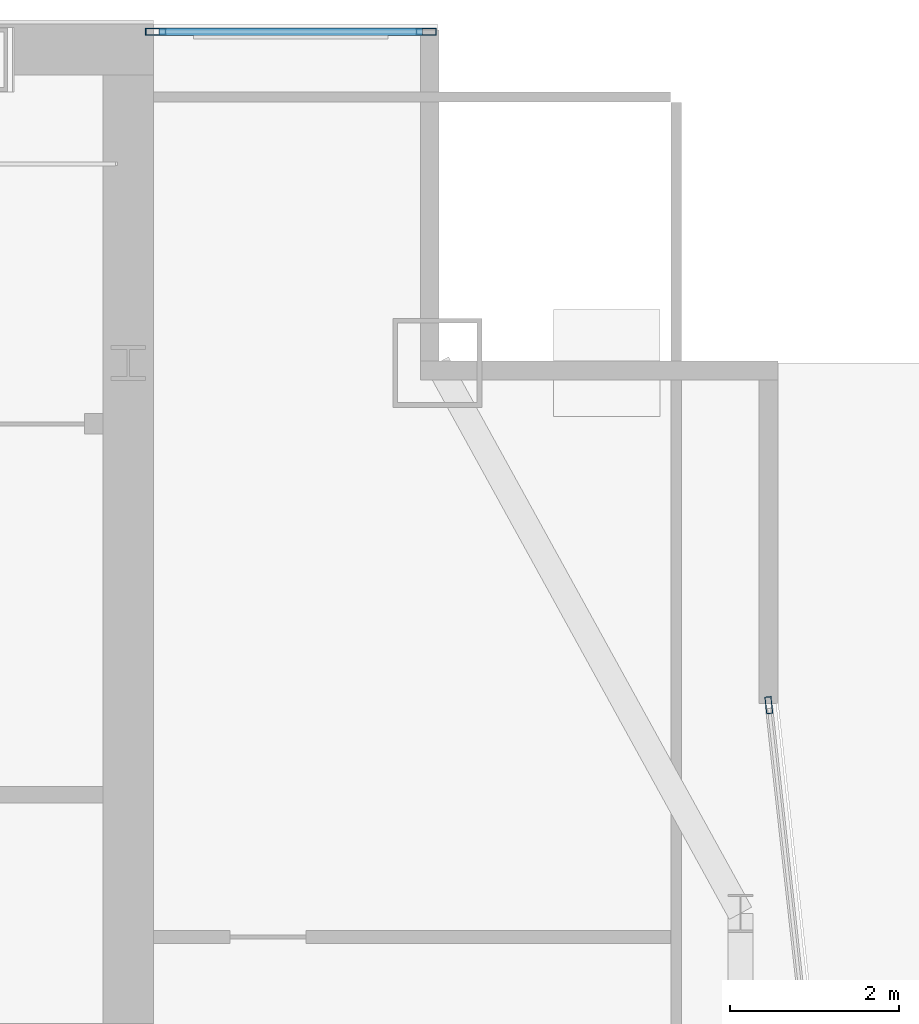
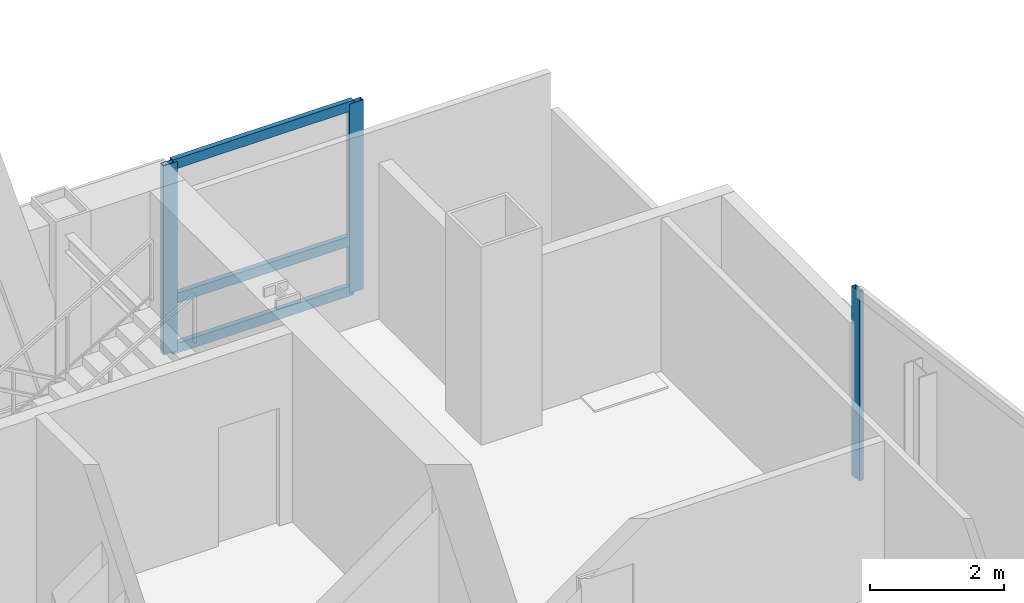
# One storey, part 23 of 30: 6 members, 2 elements without a shape of their own.
"""IFC4 building model written with IfcOpenShell, lengths in metres."""

from ifc_helpers import new_model, si_unit, direction, frame, origin, origin_2d, place, context, subcontext, project, spatial, hollow_rectangle, extrude, material, material_profile, profile_set, type_object, element, aggregate, save


model = new_model("IFC4")

# Units and contexts
model_context = context("Model", 3, precision=1e-05, world=origin(), true_north=direction((0.0, 1.0)))
body_context = subcontext(model_context, "Body", "Model", "MODEL_VIEW")
ifc_project = project(units=[si_unit("LENGTHUNIT", "METRE"), si_unit("AREAUNIT", "SQUARE_METRE"), si_unit("VOLUMEUNIT", "CUBIC_METRE"), si_unit("PLANEANGLEUNIT", "RADIAN"), si_unit("MASSUNIT", "GRAM", prefix="KILO")], contexts=[model_context])

# Site, building, storey
site_placement = place(None, origin())
site = spatial("IfcSite", under=ifc_project, at=site_placement, CompositionType="ELEMENT")
building_placement = place(site_placement, origin())
building = spatial("IfcBuilding", under=site, at=building_placement, Name="Khoronbel Lancet Exchange", CompositionType="ELEMENT")
storey_placement = place(building_placement, frame((0.0, 0.0, 239.0)))
storey = spatial("IfcBuildingStorey", under=building, at=storey_placement, Name="L61", CompositionType="ELEMENT", Elevation=239.0)

# Curtain wall, members
ifc_material_1 = material(Name="Low-E Solar Control Insulating Glass", Category="glass")
curtain_wall_type_1 = type_object("IfcCurtainWallType", Name="CW-3", PredefinedType="NOTDEFINED", material=ifc_material_1)
curtain_wall_1_placement = place(storey_placement, origin())
curtain_wall_1 = element("IfcCurtainWall", 1, at=curtain_wall_1_placement, inside=storey, type_object=curtain_wall_type_1, Name="Unitised curtain wall CW-L61-NEFLK", PredefinedType="NOTDEFINED")
ifc_material_2 = material(Name="Bronze-Anodised Aluminium 6063-T6", Category="aluminium")
ifc_material_profile_1 = material_profile(ifc_material_2, hollow_rectangle(XDim=0.0849609375, YDim=0.239990234375, WallThickness=0.006103515625, at=origin_2d()), Name="ALU MULLION 85x240")
ifc_profile_set_1 = profile_set([ifc_material_profile_1], Name="Bronze-Anodised Aluminium 6063-T6")
member_type_1 = type_object("IfcMemberType", Name="MEM-CWM1", PredefinedType="MULLION", material=ifc_profile_set_1)
member_1_placement = place(storey_placement, frame((59.91748046875, 53.610107421875, 0.0), z_axis=(0.0, 0.0, 1.0), x_axis=(0.0, -1.0, 0.0)))
member_1 = element("IfcMember", 2, at=member_1_placement, type_object=member_type_1, Name="CW3 mullion 1", PredefinedType="MULLION", context=body_context, shape_type="SweptSolid", body=[
    extrude(hollow_rectangle(XDim=0.0849609375, YDim=0.239990234375, WallThickness=0.006103515625, at=origin_2d()), origin(), (0.0, 0.0, 1.0), 3.43994140625),
])
member_2_placement = place(storey_placement, frame((56.722412109375, 53.610107421875, 0.0), z_axis=(0.0, 0.0, 1.0), x_axis=(0.0, -1.0, 0.0)))
member_2 = element("IfcMember", 3, at=member_2_placement, type_object=member_type_1, Name="CW3 mullion 2", PredefinedType="MULLION", context=body_context, shape_type="SweptSolid", body=[
    extrude(hollow_rectangle(XDim=0.0849609375, YDim=0.239990234375, WallThickness=0.006103515625, at=origin_2d()), origin(), (0.0, 0.0, 1.0), 3.43994140625),
])

# Curtain wall, member
curtain_wall_type_2 = type_object("IfcCurtainWallType", Name="CW-4", PredefinedType="NOTDEFINED", material=ifc_material_1)
curtain_wall_2_placement = place(storey_placement, origin())
curtain_wall_2 = element("IfcCurtainWall", 4, at=curtain_wall_2_placement, inside=storey, type_object=curtain_wall_type_2, Name="Unitised curtain wall CW-L61-E17", PredefinedType="NOTDEFINED")
ifc_material_profile_2 = material_profile(ifc_material_2, hollow_rectangle(XDim=0.074951171875, YDim=0.199951171875, WallThickness=0.0048828125, at=origin_2d()), Name="ALU MULLION 75x200")
ifc_profile_set_2 = profile_set([ifc_material_profile_2], Name="Bronze-Anodised Aluminium 6063-T6")
member_type_2 = type_object("IfcMemberType", Name="MEM-CWM2", PredefinedType="MULLION", material=ifc_profile_set_2)
member_3_placement = place(storey_placement, frame((63.964111328125, 45.65771484375, 0.0), z_axis=(0.0, 0.0, 1.0), x_axis=(0.993947317123, 0.109857775256, 0.0)))
member_3 = element("IfcMember", 5, at=member_3_placement, type_object=member_type_2, Name="CW4 mullion 1", PredefinedType="MULLION", context=body_context, shape_type="SweptSolid", body=[
    extrude(hollow_rectangle(XDim=0.074951171875, YDim=0.199951171875, WallThickness=0.0048828125, at=origin_2d()), origin(), (0.0, 0.0, 1.0), 3.43994140625),
])
aggregate(curtain_wall_2, [member_3])

# Member
ifc_material_profile_3 = material_profile(ifc_material_2, hollow_rectangle(XDim=0.0849609375, YDim=0.179931640625, WallThickness=0.0048828125, at=origin_2d()), Name="ALU TRANSOM 85x180")
ifc_profile_set_3 = profile_set([ifc_material_profile_3], Name="Bronze-Anodised Aluminium 6063-T6")
member_type_3 = type_object("IfcMemberType", Name="MEM-CWT1", PredefinedType="USERDEFINED", material=ifc_profile_set_3)
member_4_placement = place(storey_placement, frame((59.875, 53.610107421875, 0.04248046875), z_axis=(-1.0, 0.0, 0.0), x_axis=(0.0, -1.0, 0.0)))
member_4 = element("IfcMember", 6, at=member_4_placement, type_object=member_type_3, Name="CW3 transom 1.1", ObjectType="TRANSOM", PredefinedType="USERDEFINED", context=body_context, shape_type="SweptSolid", body=[
    extrude(hollow_rectangle(XDim=0.0849609375, YDim=0.179931640625, WallThickness=0.0048828125, at=origin_2d()), origin(), (0.0, 0.0, 1.0), 3.110107421875),
])

member_5_placement = place(storey_placement, frame((59.875, 53.610107421875, 0.949951171875), z_axis=(-1.0, 0.0, 0.0), x_axis=(0.0, -1.0, 0.0)))
member_5 = element("IfcMember", 7, at=member_5_placement, type_object=member_type_3, Name="CW3 transom 1.2", ObjectType="TRANSOM", PredefinedType="USERDEFINED", context=body_context, shape_type="SweptSolid", body=[
    extrude(hollow_rectangle(XDim=0.0849609375, YDim=0.179931640625, WallThickness=0.0048828125, at=origin_2d()), origin(), (0.0, 0.0, 1.0), 3.110107421875),
])

member_6_placement = place(storey_placement, frame((59.875, 53.610107421875, 3.3974609375), z_axis=(-1.0, 0.0, 0.0), x_axis=(0.0, -1.0, 0.0)))
member_6 = element("IfcMember", 8, at=member_6_placement, type_object=member_type_3, Name="CW3 transom 1.3", ObjectType="TRANSOM", PredefinedType="USERDEFINED", context=body_context, shape_type="SweptSolid", body=[
    extrude(hollow_rectangle(XDim=0.0849609375, YDim=0.179931640625, WallThickness=0.0048828125, at=origin_2d()), origin(), (0.0, 0.0, 1.0), 3.110107421875),
])

aggregate(curtain_wall_1, [member_1, member_2, member_4, member_5, member_6])

save(model, "model.ifc")
